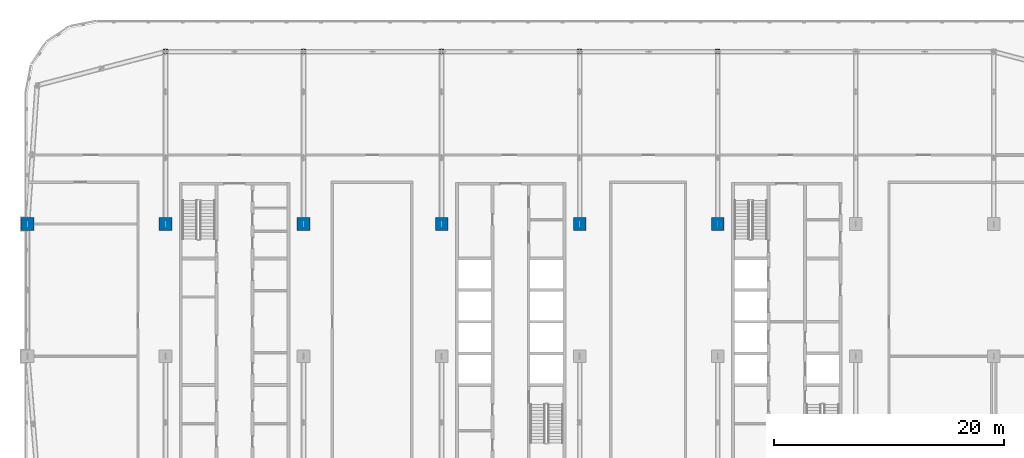
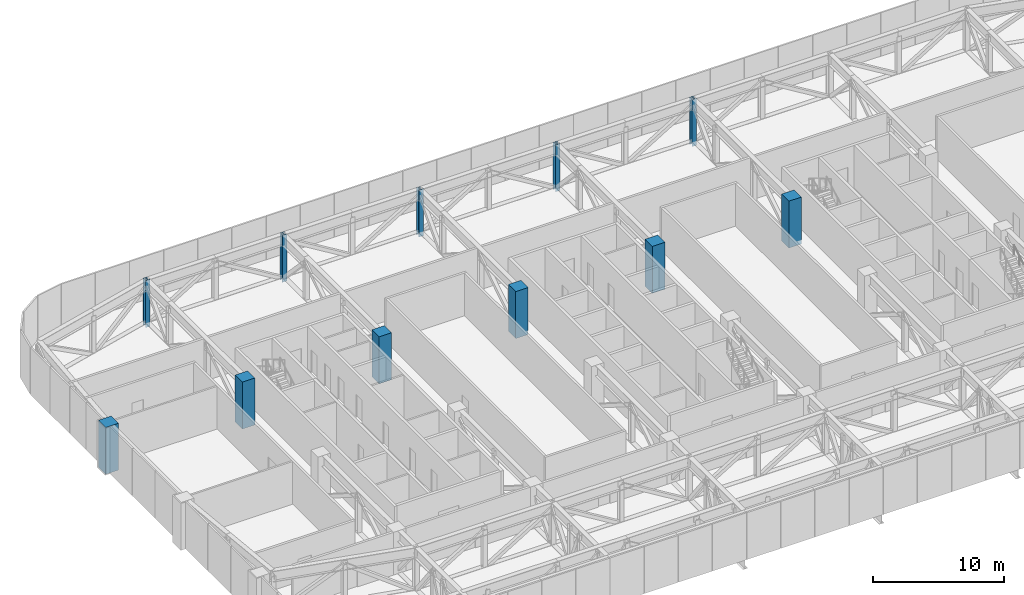
# One storey, part 2 of 28: 11 columns.
"""IFC4 building model written with IfcOpenShell, lengths in metres."""

from ifc_helpers import new_model, si_unit, direction, frame, origin, origin_2d, place, context, subcontext, project, spatial, rectangle, i_section, extrude, material, material_profile, profile_set, type_object, element, save


model = new_model("IFC4")

# Units and contexts
model_context = context("Model", 3, precision=1e-05, world=origin(), true_north=direction((0.0, 1.0)))
body_context = subcontext(model_context, "Body", "Model", "MODEL_VIEW")
ifc_project = project(units=[si_unit("LENGTHUNIT", "METRE"), si_unit("AREAUNIT", "SQUARE_METRE"), si_unit("VOLUMEUNIT", "CUBIC_METRE"), si_unit("PLANEANGLEUNIT", "RADIAN"), si_unit("MASSUNIT", "GRAM", prefix="KILO")], contexts=[model_context])

# Site, building, storey
site_placement = place(None, origin())
site = spatial("IfcSite", under=ifc_project, at=site_placement, CompositionType="ELEMENT")
building_placement = place(site_placement, origin())
building = spatial("IfcBuilding", under=site, at=building_placement, Name="Mahtab Terrace Research Tower", CompositionType="ELEMENT")
storey_placement = place(building_placement, frame((0.0, 0.0, 224.300048828125)))
storey = spatial("IfcBuildingStorey", under=building, at=storey_placement, Name="L54", CompositionType="ELEMENT", Elevation=224.300048828125)

# Columns
ifc_material_1 = material(Name="Concrete C70/85", Category="concrete")
ifc_material_profile_1 = material_profile(ifc_material_1, rectangle(XDim=1.10009765625, YDim=1.10009765625, at=origin_2d()), Name="RC column 1100x1100")
ifc_profile_set_1 = profile_set([ifc_material_profile_1], Name="Concrete C70/85")
column_type_1 = type_object("IfcColumnType", Name="RC column 1100x1100", PredefinedType="COLUMN", material=ifc_profile_set_1)
for number, where, z_axis, x_axis, name in (
    (1, (-42.0, 11.5, -0.400146484375), (0.0, 0.0, 1.0), (1.0, 0.0, 0.0), "Column RC-1C L54"),
    (2, (-30.0, 11.5, -0.400146484375), (0.0, 0.0, 1.0), (1.0, 0.0, 0.0), "Column RC-2C L54"),
    (3, (-18.0, 11.5, -0.400146484375), (0.0, 0.0, 1.0), (1.0, 0.0, 0.0), "Column RC-3C L54"),
    (4, (-6.0, 11.5, -0.400146484375), (0.0, 0.0, 1.0), (1.0, 0.0, 0.0), "Column RC-4C L54"),
    (5, (6.0, 11.5, -0.400146484375), (0.0, 0.0, 1.0), (1.0, 0.0, 0.0), "Column RC-5C L54"),
    (6, (18.0, 11.5, -0.400146484375), (0.0, 0.0, 1.0), (1.0, 0.0, 0.0), "Column RC-6C L54"),
):
    element("IfcColumn", number, at=place(storey_placement, frame(where, z_axis=z_axis, x_axis=x_axis)), inside=storey, type_object=column_type_1, Name=name, PredefinedType="COLUMN", context=body_context, shape_type="SweptSolid", body=[
        extrude(rectangle(XDim=1.10009765625, YDim=1.10009765625, at=origin_2d()), origin(), (0.0, 0.0, 1.0), 4.360107421875),
    ])
ifc_material_2 = material(Name="Steel ASTM A992 Gr 50", Category="steel")
ifc_material_profile_2 = material_profile(ifc_material_2, i_section(OverallWidth=0.398681640625, OverallDepth=0.385986328125, WebThickness=0.02099609375, FlangeThickness=0.033203125, at=origin_2d()), Name="W14X176")
ifc_profile_set_2 = profile_set([ifc_material_profile_2], Name="Steel ASTM A992 Gr 50")
column_type_2 = type_object("IfcColumnType", Name="W14x176 column CS14176", PredefinedType="COLUMN", material=ifc_profile_set_2)
for number, where, z_axis, x_axis, name in (
    (7, (18.0, 26.472900390625, -0.400146484375), (0.0, 0.0, 1.0), (1.0, 0.0, 0.0), "Column SC-055 L54"),
    (8, (6.0, 26.472900390625, -0.400146484375), (0.0, 0.0, 1.0), (1.0, 0.0, 0.0), "Column SC-056 L54"),
    (9, (-6.0, 26.472900390625, -0.400146484375), (0.0, 0.0, 1.0), (1.0, 0.0, 0.0), "Column SC-057 L54"),
    (10, (-18.0, 26.472900390625, -0.400146484375), (0.0, 0.0, 1.0), (1.0, 0.0, 0.0), "Column SC-058 L54"),
    (11, (-30.0, 26.472900390625, -0.400146484375), (0.0, 0.0, 1.0), (1.0, 0.0, 0.0), "Column SC-059 L54"),
):
    element("IfcColumn", number, at=place(storey_placement, frame(where, z_axis=z_axis, x_axis=x_axis)), inside=storey, type_object=column_type_2, Name=name, PredefinedType="COLUMN", context=body_context, shape_type="SweptSolid", body=[
        extrude(i_section(OverallWidth=0.398681640625, OverallDepth=0.385986328125, WebThickness=0.02099609375, FlangeThickness=0.033203125, at=origin_2d()), origin(), (0.0, 0.0, 1.0), 4.360107421875),
    ])

save(model, "model.ifc")
